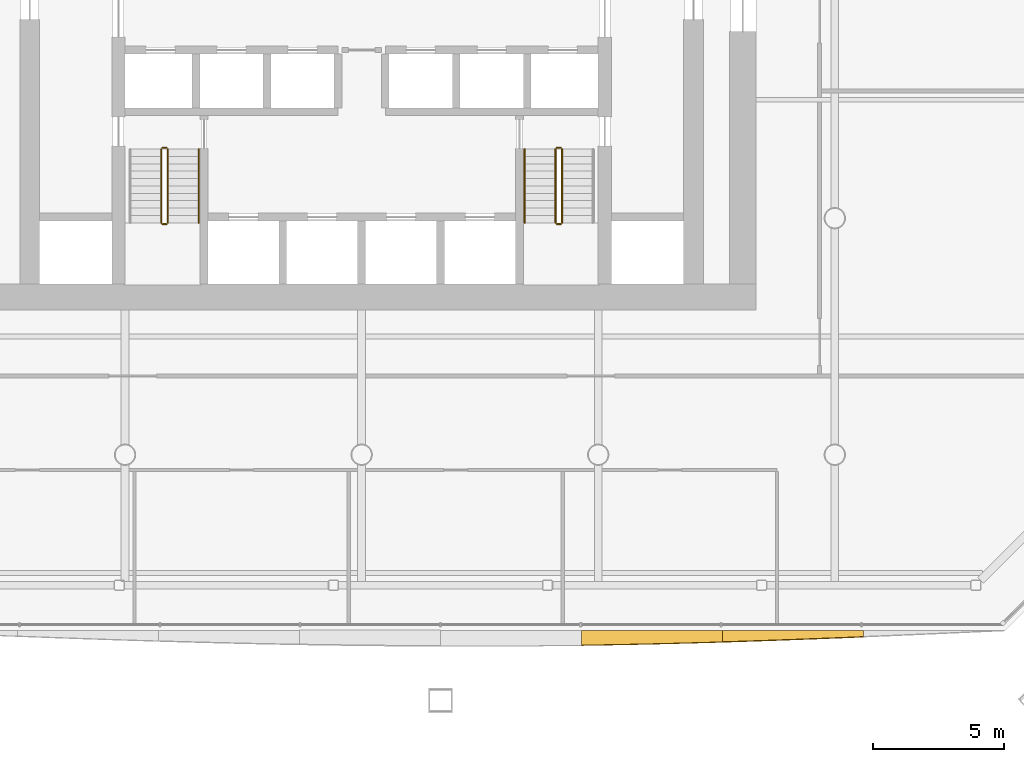
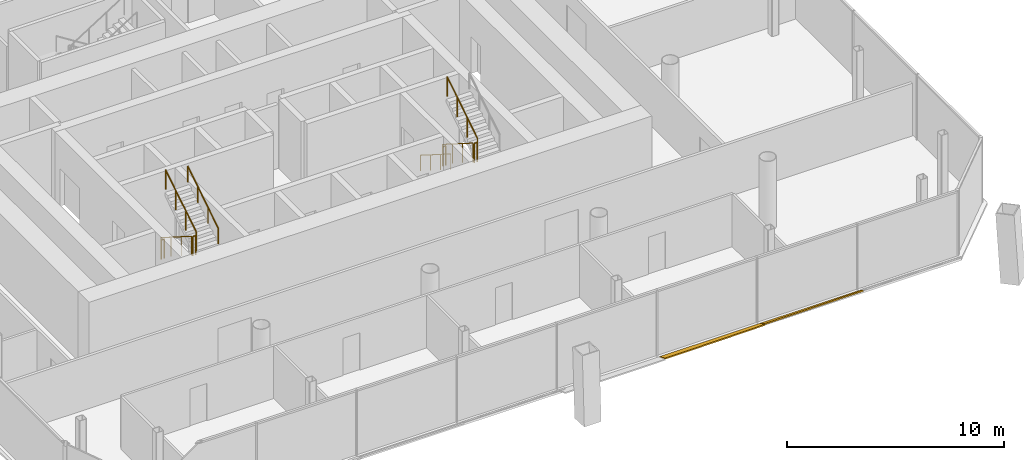
# One storey, part 16 of 19: 10 railings, 2 shading devices.
"""IFC4 building model written with IfcOpenShell, lengths in metres."""

from ifc_helpers import new_model, si_unit, direction, frame, origin, origin_2d, place, context, subcontext, project, spatial, polyline, circle, outline, extrude, material, layer, layer_set, type_object, element, save


model = new_model("IFC4")

# Units and contexts
model_context = context("Model", 3, precision=1e-05, world=origin(), true_north=direction((0.0, 1.0)))
body_context = subcontext(model_context, "Body", "Model", "MODEL_VIEW")
ifc_project = project(units=[si_unit("LENGTHUNIT", "METRE"), si_unit("AREAUNIT", "SQUARE_METRE"), si_unit("VOLUMEUNIT", "CUBIC_METRE"), si_unit("PLANEANGLEUNIT", "RADIAN"), si_unit("MASSUNIT", "GRAM", prefix="KILO")], contexts=[model_context])

# Site, building, storey
site_placement = place(None, origin())
site = spatial("IfcSite", under=ifc_project, at=site_placement, CompositionType="ELEMENT")
building_placement = place(site_placement, origin())
building = spatial("IfcBuilding", under=site, at=building_placement, Name="Tskaro Facet Tower", CompositionType="ELEMENT")
storey_placement = place(building_placement, frame((0.0, 0.0, 89.39990234375)))
storey = spatial("IfcBuildingStorey", under=building, at=storey_placement, Name="L21", CompositionType="ELEMENT", Elevation=89.39990234375)

# Shading devices
ifc_material_1 = material(Name="Bronze anodised aluminium 6063-T6", Category="aluminium")
ifc_layer = layer(ifc_material_1, 0.06005859375, Name="Bronze anodised aluminium 6063-T6")
ifc_layer_set = layer_set([ifc_layer], Name="Bronze anodised aluminium 6063-T6")
shading_device_type = type_object("IfcShadingDeviceType", Name="Bronze sun blade (FN1)", PredefinedType="USERDEFINED", material=ifc_layer_set)
shading_device_1_placement = place(storey_placement, frame((8.363037109375, -24.687744140625, 0.054443359375), z_axis=(9.623046e-06, 0.422777922123, 0.906233319004), x_axis=(0.999999999954, -4.068411e-06, -8.720725e-06)))
element("IfcShadingDevice", 1, at=shading_device_1_placement, inside=storey, type_object=shading_device_type, Name="Fin blade south 6", ObjectType="FIN", PredefinedType="USERDEFINED", context=body_context, shape_type="SweptSolid", body=[
    extrude(outline(polyline([(0.0, 0.0), (5.363037109126683, 2.271334564494045e-21), (5.363037108867208, -0.4757756467969736), (4.69262695219751, -0.49761902079212234), (4.022216795812922, -0.5183709667793442), (3.35180664084926, -0.5377070191235837), (2.681396484184178, -0.5555091467220807), (2.0109863289400227, -0.5718953806775952), (1.340820312619436, -0.5867476898873674), (0.6704101570947878, -0.6001841054541571), (-1.1245454633692372e-09, -0.6118653479062968), (0.0, 0.0)])), origin(), (0.0, 0.0, -1.0), 0.06005859375),
])
shading_device_2_placement = place(storey_placement, frame((13.72607421875, -24.68310546875, 0.052001953125), z_axis=(-1.8215569e-05, 0.500289983965, 0.865857916527), x_axis=(0.999999999834, 9.113067e-06, 1.5772095e-05)))
element("IfcShadingDevice", 2, at=shading_device_2_placement, inside=storey, type_object=shading_device_type, Name="Fin blade south 7", ObjectType="FIN", PredefinedType="USERDEFINED", context=body_context, shape_type="SweptSolid", body=[
    extrude(outline(polyline([(0.0, 0.0), (5.363037108485253, 0.0), (5.363037110724865, -0.2716022204268993), (4.692626953465388, -0.3034285860389365), (4.022216797404171, -0.3341651050604516), (3.351806640316348, -0.36402316858438166), (2.6813964822019147, -0.3930027766107268), (2.0109863291363514, -0.42101467915593654), (1.340576169567831, -0.4476924528918507), (0.670410155673141, -0.4734025211466295), (-1.498856846534031e-09, -0.4979006017014994), (0.0, 0.0)])), origin(), (0.0, 0.0, -1.0), 0.06005859375),
])

# Railings
ifc_material_2 = material(Name="Stainless steel", Category="steel")
railing_type_1 = type_object("IfcRailingType", Name="RL-GUARD-1100", PredefinedType="GUARDRAIL", material=ifc_material_2)
railing_1_placement = place(storey_placement, frame((-7.625, -6.375, 0.177490234375)))
element("IfcRailing", 3, at=railing_1_placement, inside=storey, type_object=railing_type_1, Name="L21 ST-1 stair guard 1", PredefinedType="GUARDRAIL", context=body_context, shape_type="SweptSolid", body=[
    extrude(circle(Radius=0.02392578125, at=origin_2d()), frame((0.0, 0.0, 1.076171875), z_axis=(0.0, -0.844908973607, 0.534910110503), x_axis=(1.0, 0.0, 0.0)), (0.0, 0.0, 1.0), 3.31396484375),
    extrude(circle(Radius=0.02099609375, at=origin_2d()), origin(), (0.0, 0.0, 1.0), 1.052001953125),
    extrude(circle(Radius=0.02099609375, at=origin_2d()), frame((0.0, -0.933349609375, 0.5908203125)), (0.0, 0.0, 1.0), 1.052001953125),
    extrude(circle(Radius=0.02099609375, at=origin_2d()), frame((0.0, -1.86669921875, 1.181884765625)), (0.0, 0.0, 1.0), 1.052001953125),
    extrude(circle(Radius=0.02099609375, at=origin_2d()), frame((0.0, -2.800048828125, 1.772705078125)), (0.0, 0.0, 1.0), 1.052001953125),
])
railing_2_placement = place(storey_placement, frame((-7.574951171875, -9.22509765625, 1.9501953125)))
element("IfcRailing", 4, at=railing_2_placement, inside=storey, type_object=railing_type_1, Name="L21 ST-1 stair guard 2", PredefinedType="GUARDRAIL", context=body_context, shape_type="SweptSolid", body=[
    extrude(circle(Radius=0.02392578125, at=origin_2d()), frame((0.0, 0.0, 1.076171875), z_axis=(1.0, 0.0, 0.0), x_axis=(0.0, 1.0, 0.0)), (0.0, 0.0, 1.0), 0.14990234375),
    extrude(circle(Radius=0.02099609375, at=origin_2d()), origin(), (0.0, 0.0, 1.0), 1.052001953125),
    extrude(circle(Radius=0.02099609375, at=origin_2d()), frame((0.14990234375, 0.0, 0.0)), (0.0, 0.0, 1.0), 1.052001953125),
])
railing_3_placement = place(storey_placement, frame((-7.375, -9.175048828125, 2.12744140625)))
element("IfcRailing", 5, at=railing_3_placement, inside=storey, type_object=railing_type_1, Name="L21 ST-1 stair guard 3", PredefinedType="GUARDRAIL", context=body_context, shape_type="SweptSolid", body=[
    extrude(circle(Radius=0.02392578125, at=origin_2d()), frame((0.0, 0.0, 1.076171875), z_axis=(0.0, 0.844908973607, 0.534910110503), x_axis=(-1.0, 0.0, 0.0)), (0.0, 0.0, 1.0), 3.31396484375),
    extrude(circle(Radius=0.02099609375, at=origin_2d()), origin(), (0.0, 0.0, 1.0), 1.052001953125),
    extrude(circle(Radius=0.02099609375, at=origin_2d()), frame((0.0, 0.933349609375, 0.5908203125)), (0.0, 0.0, 1.0), 1.052001953125),
    extrude(circle(Radius=0.02099609375, at=origin_2d()), frame((0.0, 1.86669921875, 1.181884765625)), (0.0, 0.0, 1.0), 1.052001953125),
    extrude(circle(Radius=0.02099609375, at=origin_2d()), frame((0.0, 2.800048828125, 1.772705078125)), (0.0, 0.0, 1.0), 1.052001953125),
])
railing_4_placement = place(storey_placement, frame((-7.574951171875, -6.324951171875, 0.0)))
element("IfcRailing", 6, at=railing_4_placement, inside=storey, type_object=railing_type_1, Name="L21 ST-1 stair guard 4", PredefinedType="GUARDRAIL", context=body_context, shape_type="SweptSolid", body=[
    extrude(circle(Radius=0.02392578125, at=origin_2d()), frame((0.0, 0.0, 1.076171875), z_axis=(1.0, 0.0, 0.0), x_axis=(0.0, 1.0, 0.0)), (0.0, 0.0, 1.0), 0.14990234375),
    extrude(circle(Radius=0.02099609375, at=origin_2d()), origin(), (0.0, 0.0, 1.0), 1.052001953125),
    extrude(circle(Radius=0.02099609375, at=origin_2d()), frame((0.14990234375, 0.0, 0.0)), (0.0, 0.0, 1.0), 1.052001953125),
])
railing_5_placement = place(storey_placement, frame((7.375, -6.375, 0.177490234375)))
element("IfcRailing", 7, at=railing_5_placement, inside=storey, type_object=railing_type_1, Name="L21 ST-2 stair guard 1", PredefinedType="GUARDRAIL", context=body_context, shape_type="SweptSolid", body=[
    extrude(circle(Radius=0.02392578125, at=origin_2d()), frame((0.0, 0.0, 1.076171875), z_axis=(0.0, -0.844908973607, 0.534910110503), x_axis=(1.0, 0.0, 0.0)), (0.0, 0.0, 1.0), 3.31396484375),
    extrude(circle(Radius=0.02099609375, at=origin_2d()), origin(), (0.0, 0.0, 1.0), 1.052001953125),
    extrude(circle(Radius=0.02099609375, at=origin_2d()), frame((0.0, -0.933349609375, 0.5908203125)), (0.0, 0.0, 1.0), 1.052001953125),
    extrude(circle(Radius=0.02099609375, at=origin_2d()), frame((0.0, -1.86669921875, 1.181884765625)), (0.0, 0.0, 1.0), 1.052001953125),
    extrude(circle(Radius=0.02099609375, at=origin_2d()), frame((0.0, -2.800048828125, 1.772705078125)), (0.0, 0.0, 1.0), 1.052001953125),
])
railing_6_placement = place(storey_placement, frame((7.425048828125, -9.22509765625, 1.9501953125)))
element("IfcRailing", 8, at=railing_6_placement, inside=storey, type_object=railing_type_1, Name="L21 ST-2 stair guard 2", PredefinedType="GUARDRAIL", context=body_context, shape_type="SweptSolid", body=[
    extrude(circle(Radius=0.02392578125, at=origin_2d()), frame((0.0, 0.0, 1.076171875), z_axis=(1.0, 0.0, 0.0), x_axis=(0.0, 1.0, 0.0)), (0.0, 0.0, 1.0), 0.14990234375),
    extrude(circle(Radius=0.02099609375, at=origin_2d()), origin(), (0.0, 0.0, 1.0), 1.052001953125),
    extrude(circle(Radius=0.02099609375, at=origin_2d()), frame((0.14990234375, 0.0, 0.0)), (0.0, 0.0, 1.0), 1.052001953125),
])
railing_7_placement = place(storey_placement, frame((7.625, -9.175048828125, 2.12744140625)))
element("IfcRailing", 9, at=railing_7_placement, inside=storey, type_object=railing_type_1, Name="L21 ST-2 stair guard 3", PredefinedType="GUARDRAIL", context=body_context, shape_type="SweptSolid", body=[
    extrude(circle(Radius=0.02392578125, at=origin_2d()), frame((0.0, 0.0, 1.076171875), z_axis=(0.0, 0.844908973607, 0.534910110503), x_axis=(-1.0, 0.0, 0.0)), (0.0, 0.0, 1.0), 3.31396484375),
    extrude(circle(Radius=0.02099609375, at=origin_2d()), origin(), (0.0, 0.0, 1.0), 1.052001953125),
    extrude(circle(Radius=0.02099609375, at=origin_2d()), frame((0.0, 0.933349609375, 0.5908203125)), (0.0, 0.0, 1.0), 1.052001953125),
    extrude(circle(Radius=0.02099609375, at=origin_2d()), frame((0.0, 1.86669921875, 1.181884765625)), (0.0, 0.0, 1.0), 1.052001953125),
    extrude(circle(Radius=0.02099609375, at=origin_2d()), frame((0.0, 2.800048828125, 1.772705078125)), (0.0, 0.0, 1.0), 1.052001953125),
])
railing_8_placement = place(storey_placement, frame((7.425048828125, -6.324951171875, 0.0)))
element("IfcRailing", 10, at=railing_8_placement, inside=storey, type_object=railing_type_1, Name="L21 ST-2 stair guard 4", PredefinedType="GUARDRAIL", context=body_context, shape_type="SweptSolid", body=[
    extrude(circle(Radius=0.02392578125, at=origin_2d()), frame((0.0, 0.0, 1.076171875), z_axis=(1.0, 0.0, 0.0), x_axis=(0.0, 1.0, 0.0)), (0.0, 0.0, 1.0), 0.14990234375),
    extrude(circle(Radius=0.02099609375, at=origin_2d()), origin(), (0.0, 0.0, 1.0), 1.052001953125),
    extrude(circle(Radius=0.02099609375, at=origin_2d()), frame((0.14990234375, 0.0, 0.0)), (0.0, 0.0, 1.0), 1.052001953125),
])
railing_type_2 = type_object("IfcRailingType", Name="RL-HANDRAIL-900", PredefinedType="HANDRAIL", material=ifc_material_2)
railing_9_placement = place(storey_placement, frame((-6.199951171875, -9.175048828125, 2.12744140625)))
element("IfcRailing", 11, at=railing_9_placement, inside=storey, type_object=railing_type_2, Name="L21 ST-1 stair handrail 2", PredefinedType="HANDRAIL", context=body_context, shape_type="SweptSolid", body=[
    extrude(circle(Radius=0.02392578125, at=origin_2d()), frame((0.0, 0.0, 0.8759765625), z_axis=(0.0, 0.844908973607, 0.534910110503), x_axis=(-1.0, 0.0, 0.0)), (0.0, 0.0, 1.0), 3.31396484375),
    extrude(circle(Radius=0.02099609375, at=origin_2d()), origin(), (0.0, 0.0, 1.0), 0.851806640625),
    extrude(circle(Radius=0.02099609375, at=origin_2d()), frame((0.0, 0.933349609375, 0.5908203125)), (0.0, 0.0, 1.0), 0.851806640625),
    extrude(circle(Radius=0.02099609375, at=origin_2d()), frame((0.0, 1.86669921875, 1.181884765625)), (0.0, 0.0, 1.0), 0.851806640625),
    extrude(circle(Radius=0.02099609375, at=origin_2d()), frame((0.0, 2.800048828125, 1.772705078125)), (0.0, 0.0, 1.0), 0.851806640625),
])
railing_10_placement = place(storey_placement, frame((6.199951171875, -6.375, 0.177490234375)))
element("IfcRailing", 12, at=railing_10_placement, inside=storey, type_object=railing_type_2, Name="L21 ST-2 stair handrail 1", PredefinedType="HANDRAIL", context=body_context, shape_type="SweptSolid", body=[
    extrude(circle(Radius=0.02392578125, at=origin_2d()), frame((0.0, 0.0, 0.8759765625), z_axis=(0.0, -0.844908973607, 0.534910110503), x_axis=(1.0, 0.0, 0.0)), (0.0, 0.0, 1.0), 3.31396484375),
    extrude(circle(Radius=0.02099609375, at=origin_2d()), origin(), (0.0, 0.0, 1.0), 0.851806640625),
    extrude(circle(Radius=0.02099609375, at=origin_2d()), frame((0.0, -0.933349609375, 0.5908203125)), (0.0, 0.0, 1.0), 0.851806640625),
    extrude(circle(Radius=0.02099609375, at=origin_2d()), frame((0.0, -1.86669921875, 1.181884765625)), (0.0, 0.0, 1.0), 0.851806640625),
    extrude(circle(Radius=0.02099609375, at=origin_2d()), frame((0.0, -2.800048828125, 1.772705078125)), (0.0, 0.0, 1.0), 0.851806640625),
])

save(model, "model.ifc")
